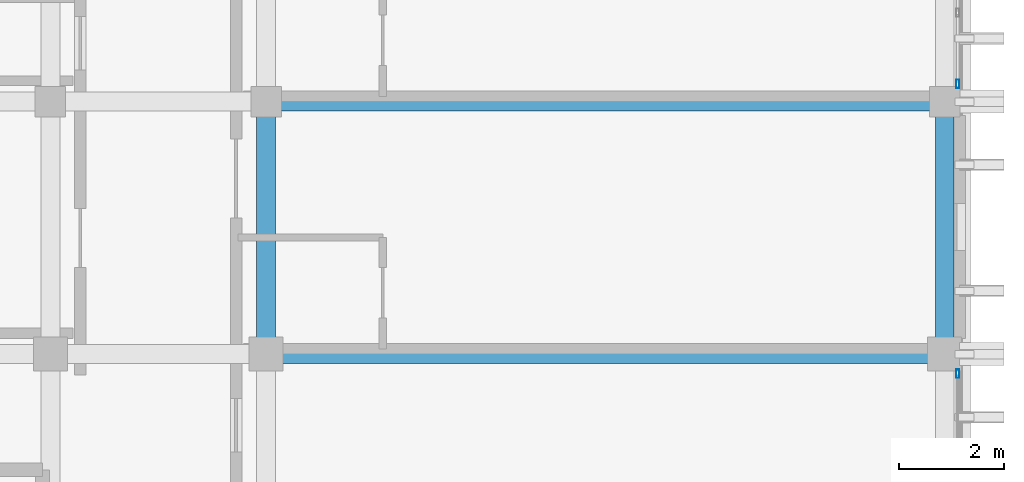
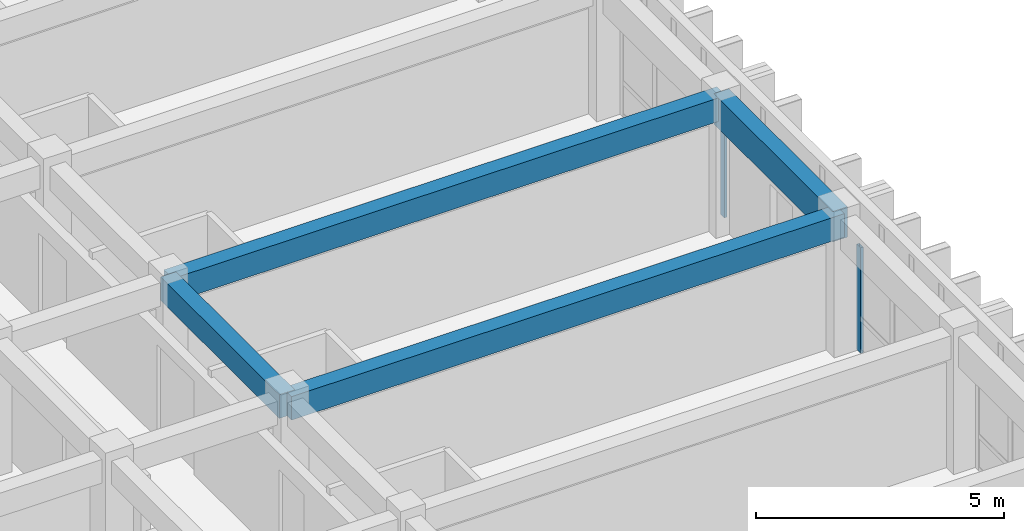
# One storey, part 24 of 49: 4 beams, 2 members, 2 elements without a shape of their own.
"""IFC4 building model written with IfcOpenShell, lengths in metres."""

from ifc_helpers import new_model, si_unit, direction, frame, origin, origin_2d, place, context, subcontext, project, spatial, rectangle, hollow_rectangle, extrude, material, layer, layer_set, material_profile, profile_set, type_object, element, aggregate, save


model = new_model("IFC4")

# Units and contexts
model_context = context("Model", 3, precision=1e-05, world=origin(), true_north=direction((0.0, 1.0)))
body_context = subcontext(model_context, "Body", "Model", "MODEL_VIEW")
ifc_project = project(units=[si_unit("LENGTHUNIT", "METRE"), si_unit("AREAUNIT", "SQUARE_METRE"), si_unit("VOLUMEUNIT", "CUBIC_METRE"), si_unit("PLANEANGLEUNIT", "RADIAN"), si_unit("MASSUNIT", "GRAM", prefix="KILO")], contexts=[model_context])

# Site, building, storey
site_placement = place(None, origin())
site = spatial("IfcSite", under=ifc_project, at=site_placement, CompositionType="ELEMENT")
building_placement = place(site_placement, origin())
building = spatial("IfcBuilding", under=site, at=building_placement, Name="Nakhvara Creek Congress Hotel", CompositionType="ELEMENT")
storey_placement = place(building_placement, frame((0.0, 0.0, 39.0)))
storey = spatial("IfcBuildingStorey", under=building, at=storey_placement, Name="L09", CompositionType="ELEMENT", Elevation=39.0)

# Beams
ifc_material_1 = material(Name="Concrete C40/50", Category="concrete")
ifc_material_profile_1 = material_profile(ifc_material_1, rectangle(XDim=0.360107421875, YDim=0.580078125, at=origin_2d()), Name="RC-BM 360x580", Category="LoadBearing")
ifc_profile_set_1 = profile_set([ifc_material_profile_1], Name="Concrete C40/50")
beam_type_1 = type_object("IfcBeamType", Name="BM-RC-360X580", PredefinedType="BEAM", material=ifc_profile_set_1)
beam_1_placement = place(storey_placement, frame((166.449951171875, 96.0, 3.070068359375), z_axis=(1.0, 0.0, 0.0), x_axis=(0.0, 1.0, 0.0)))
element("IfcBeam", 1, at=beam_1_placement, inside=storey, type_object=beam_type_1, Name="Beam B09-L09-2586", PredefinedType="BEAM", context=body_context, shape_type="SweptSolid", body=[
    extrude(rectangle(XDim=0.360107421875, YDim=0.580078125, at=origin_2d()), origin(), (0.0, 0.0, 1.0), 12.900146484375),
])
beam_2_placement = place(storey_placement, frame((166.449951171875, 96.0, 3.070068359375), z_axis=(0.0, 1.0, 0.0), x_axis=(-1.0, 0.0, 0.0)))
element("IfcBeam", 2, at=beam_2_placement, inside=storey, type_object=beam_type_1, Name="Beam B09-L09-2588", PredefinedType="BEAM", context=body_context, shape_type="SweptSolid", body=[
    extrude(rectangle(XDim=0.360107421875, YDim=0.580078125, at=origin_2d()), origin(), (0.0, 0.0, 1.0), 4.800048828125),
])
beam_3_placement = place(storey_placement, frame((166.449951171875, 100.800048828125, 3.070068359375), z_axis=(1.0, 0.0, 0.0), x_axis=(0.0, 1.0, 0.0)))
element("IfcBeam", 3, at=beam_3_placement, inside=storey, type_object=beam_type_1, Name="Beam B09-L09-2627", PredefinedType="BEAM", context=body_context, shape_type="SweptSolid", body=[
    extrude(rectangle(XDim=0.360107421875, YDim=0.580078125, at=origin_2d()), origin(), (0.0, 0.0, 1.0), 12.900146484375),
])
ifc_material_profile_2 = material_profile(ifc_material_1, rectangle(XDim=0.35009765625, YDim=0.75, at=origin_2d()), Name="RC-SPANDREL 350x750", Category="LoadBearing")
ifc_profile_set_2 = profile_set([ifc_material_profile_2], Name="Concrete C40/50")
beam_type_2 = type_object("IfcBeamType", Name="BM-SPN-350X750", PredefinedType="SPANDREL", material=ifc_profile_set_2)
beam_4_placement = place(storey_placement, frame((179.35009765625, 96.0, 2.985107421875), z_axis=(0.0, 1.0, 0.0), x_axis=(-1.0, 0.0, 0.0)))
element("IfcBeam", 4, at=beam_4_placement, inside=storey, type_object=beam_type_2, Name="Beam SP1-L09-2605", PredefinedType="SPANDREL", context=body_context, shape_type="SweptSolid", body=[
    extrude(rectangle(XDim=0.35009765625, YDim=0.75, at=origin_2d()), origin(), (0.0, 0.0, 1.0), 4.800048828125),
])

# Curtain wall, member
ifc_material_2 = material(Name="Bronze-anodised aluminium AW-6063-T6 and double-silver low-E glass", Category="aluminium")
ifc_layer = layer(ifc_material_2, 0.199951171875)
ifc_layer_set = layer_set([ifc_layer], Name="Bronze-anodised aluminium AW-6063-T6 and double-silver low-E glass")
curtain_wall_type = type_object("IfcCurtainWallType", Name="CW-HTL-UNIT", PredefinedType="USERDEFINED", material=ifc_layer_set)
curtain_wall_1_placement = place(storey_placement, origin())
curtain_wall_1 = element("IfcCurtainWall", 5, at=curtain_wall_1_placement, inside=storey, type_object=curtain_wall_type, Name="Curtain Wall CW305", ObjectType="UNITISED", PredefinedType="USERDEFINED")
ifc_material_3 = material(Name="Bronze-anodised aluminium AW-6063-T6", Category="aluminium")
ifc_material_profile_3 = material_profile(ifc_material_3, hollow_rectangle(XDim=0.06494140625, YDim=0.159912109375, WallThickness=0.00390625, at=origin_2d()), Name="ALU-MULL 65x160x4", Category="LoadBearing")
ifc_profile_set_3 = profile_set([ifc_material_profile_3], Name="Bronze-anodised aluminium AW-6063-T6")
member_type = type_object("IfcMemberType", Name="CW-MULL-160", PredefinedType="MULLION", material=ifc_profile_set_3)
member_1_placement = place(storey_placement, frame((179.60009765625, 95.62744140625, 0.0), z_axis=(0.0, 0.0, 1.0), x_axis=(1.0, 0.0, 0.0)))
member_1 = element("IfcMember", 6, at=member_1_placement, type_object=member_type, Name="CW305 mullion 1", PredefinedType="MULLION", context=body_context, shape_type="SweptSolid", body=[
    extrude(hollow_rectangle(XDim=0.06494140625, YDim=0.159912109375, WallThickness=0.00390625, at=origin_2d()), origin(), (0.0, 0.0, 1.0), 2.60205078125),
])
aggregate(curtain_wall_1, [member_1])

curtain_wall_2_placement = place(storey_placement, origin())
curtain_wall_2 = element("IfcCurtainWall", 7, at=curtain_wall_2_placement, inside=storey, type_object=curtain_wall_type, Name="Curtain Wall CW307", ObjectType="UNITISED", PredefinedType="USERDEFINED")
member_2_placement = place(storey_placement, frame((179.60009765625, 101.137451171875, 0.0), z_axis=(0.0, 0.0, 1.0), x_axis=(1.0, 0.0, 0.0)))
member_2 = element("IfcMember", 8, at=member_2_placement, type_object=member_type, Name="CW307 mullion 4", PredefinedType="MULLION", context=body_context, shape_type="SweptSolid", body=[
    extrude(hollow_rectangle(XDim=0.06494140625, YDim=0.159912109375, WallThickness=0.00390625, at=origin_2d()), origin(), (0.0, 0.0, 1.0), 2.60205078125),
])
aggregate(curtain_wall_2, [member_2])

save(model, "model.ifc")
